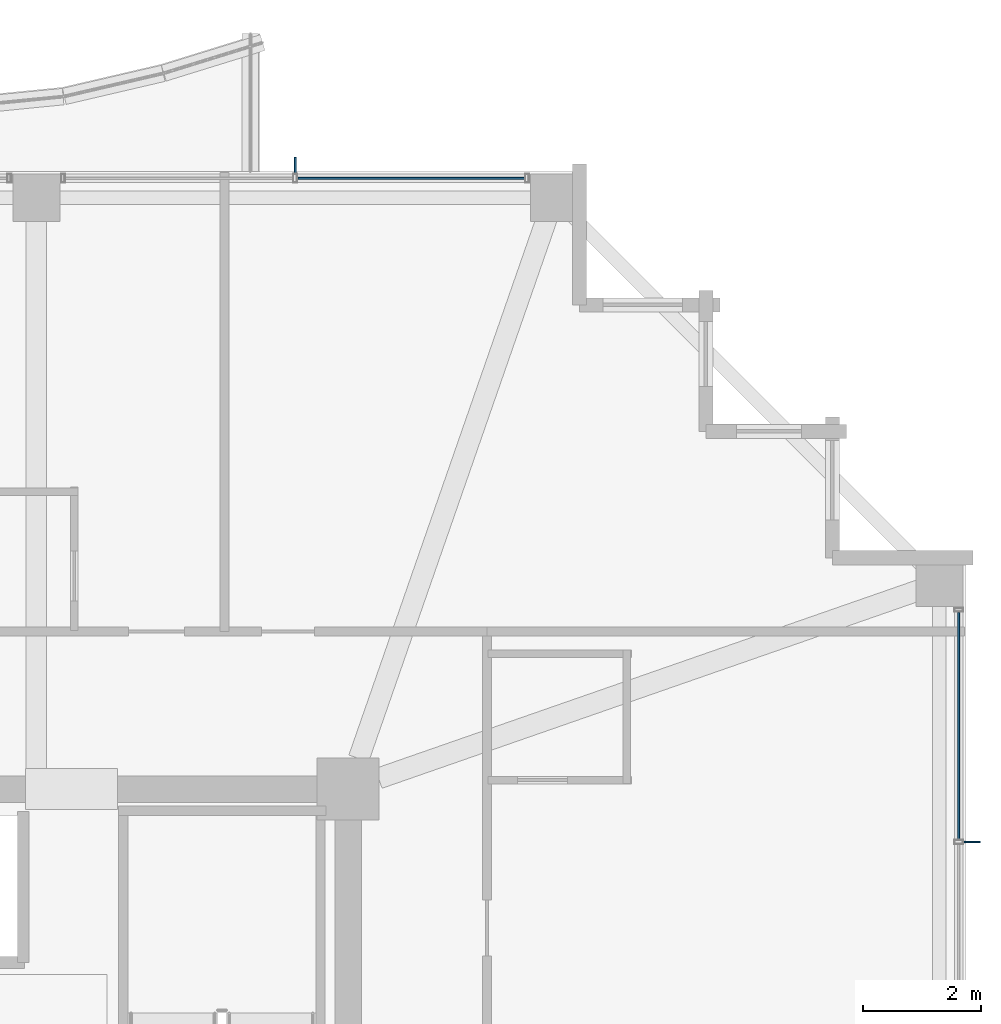
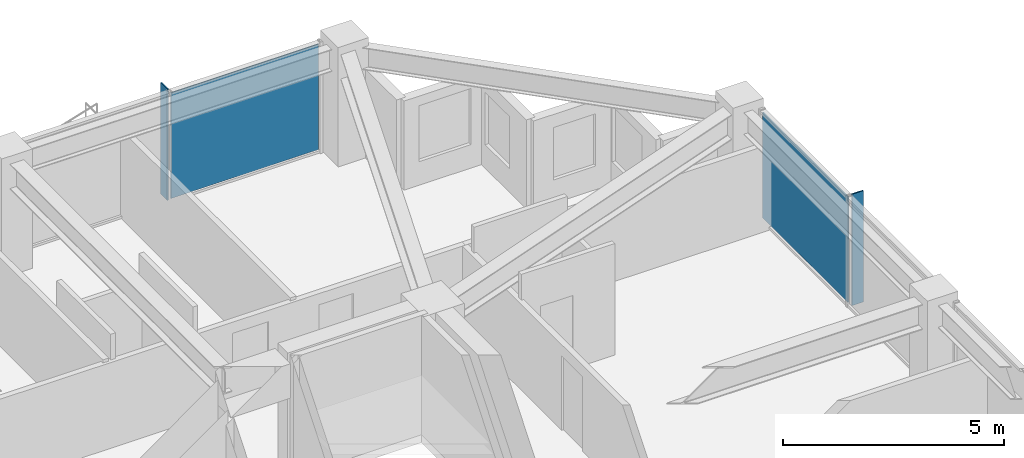
# One storey, part 29 of 36: 4 plates, 2 elements without a shape of their own.
"""IFC4 building model written with IfcOpenShell, lengths in metres."""

from ifc_helpers import new_model, si_unit, direction, frame, origin, origin_2d, place, context, subcontext, project, spatial, rectangle, extrude, material, layer, layer_set, type_object, element, aggregate, save


model = new_model("IFC4")

# Units and contexts
model_context = context("Model", 3, precision=1e-05, world=origin(), true_north=direction((0.0, 1.0)))
body_context = subcontext(model_context, "Body", "Model", "MODEL_VIEW")
ifc_project = project(units=[si_unit("LENGTHUNIT", "METRE"), si_unit("AREAUNIT", "SQUARE_METRE"), si_unit("VOLUMEUNIT", "CUBIC_METRE"), si_unit("PLANEANGLEUNIT", "RADIAN"), si_unit("MASSUNIT", "GRAM", prefix="KILO")], contexts=[model_context])

# Site, building, storey
site_placement = place(None, origin())
site = spatial("IfcSite", under=ifc_project, at=site_placement, CompositionType="ELEMENT")
building_placement = place(site_placement, origin())
building = spatial("IfcBuilding", under=site, at=building_placement, Name="Kolvaren Belvedere", CompositionType="ELEMENT")
storey_placement = place(building_placement, frame((0.0, 0.0, 226.199951171875)))
storey = spatial("IfcBuildingStorey", under=building, at=storey_placement, Name="L66", CompositionType="ELEMENT", Elevation=226.199951171875)

# Curtain wall, plate
ifc_material_1 = material(Name="Anodised pale-metal aluminium AA 6063-T6", Category="aluminium")
curtain_wall_type = type_object("IfcCurtainWallType", Name="CW-Z5-HIGH", PredefinedType="NOTDEFINED", material=ifc_material_1)
curtain_wall_1_placement = place(storey_placement, origin())
curtain_wall_1 = element("IfcCurtainWall", 1, at=curtain_wall_1_placement, inside=storey, type_object=curtain_wall_type, Name="L66 Unitised Curtain Wall FCW-L66-E-B1", PredefinedType="NOTDEFINED")
ifc_material_2 = material(Name="Low-iron triple insulated glass", Category="glass")
ifc_layer_1 = layer(ifc_material_2, 0.028076171875)
ifc_layer_set_1 = layer_set([ifc_layer_1], Name="Low-iron triple insulated glass")
plate_type_1 = type_object("IfcPlateType", Name="CW-PNL-VIS28", PredefinedType="CURTAIN_PANEL", material=ifc_layer_set_1)
plate_1_placement = place(storey_placement, frame((20.280029296875, 10.972412109375, 0.080078125), z_axis=(0.0, 0.0, 1.0), x_axis=(0.0, -1.0, 0.0)))
plate_1 = element("IfcPlate", 2, at=plate_1_placement, type_object=plate_type_1, Name="FCW-L66-E-B1 Vision Glazing Panel 1", PredefinedType="CURTAIN_PANEL", context=body_context, shape_type="SweptSolid", body=[
    extrude(rectangle(XDim=3.864990234375, YDim=0.028076171875, at=origin_2d()), origin(), (0.0, 0.0, 1.0), 2.919921875),
])
aggregate(curtain_wall_1, [plate_1])

curtain_wall_2_placement = place(storey_placement, origin())
curtain_wall_2 = element("IfcCurtainWall", 3, at=curtain_wall_2_placement, inside=storey, type_object=curtain_wall_type, Name="L66 Unitised Curtain Wall FCW-L66-N2-B2", PredefinedType="NOTDEFINED")
plate_2_placement = place(storey_placement, frame((10.972412109375, 20.280029296875, 0.080078125), z_axis=(0.0, 0.0, 1.0), x_axis=(1.0, 0.0, 0.0)))
plate_2 = element("IfcPlate", 4, at=plate_2_placement, type_object=plate_type_1, Name="FCW-L66-N2-B2 Vision Glazing Panel 2", PredefinedType="CURTAIN_PANEL", context=body_context, shape_type="SweptSolid", body=[
    extrude(rectangle(XDim=3.864990234375, YDim=0.028076171875, at=origin_2d()), origin(), (0.0, 0.0, 1.0), 2.919921875),
])
aggregate(curtain_wall_2, [plate_2])

# Plates
ifc_material_3 = material(Name="Anodised pale-metal aluminium AA 6063-T6", Category="aluminium")
ifc_layer_2 = layer(ifc_material_3, 0.030029296875)
ifc_layer_set_2 = layer_set([ifc_layer_2], Name="Anodised pale-metal aluminium AA 6063-T6")
plate_type_2 = type_object("IfcPlateType", Name="FIN-VERT-300", PredefinedType="USERDEFINED", material=ifc_layer_set_2)
for number, where, z_axis, x_axis, name in (
    (5, (20.489990234375, 9.0, 0.0), (0.0, 0.0, 1.0), (1.0, 0.0, 0.0), "L66 Pale-Metal Vertical Shading Fin FCW-L66-E-B1-1"),
    (6, (9.0, 20.489990234375, 0.0), (0.0, 0.0, 1.0), (0.0, 1.0, 0.0), "L66 Pale-Metal Vertical Shading Fin FCW-L66-N2-B2-1"),
):
    element("IfcPlate", number, at=place(storey_placement, frame(where, z_axis=z_axis, x_axis=x_axis)), inside=storey, type_object=plate_type_2, Name=name, ObjectType="VERTICAL FIN", PredefinedType="USERDEFINED", context=body_context, shape_type="SweptSolid", body=[
        extrude(rectangle(XDim=0.300048828125, YDim=0.030029296875, at=origin_2d()), origin(), (0.0, 0.0, 1.0), 3.080078125),
    ])

save(model, "model.ifc")
